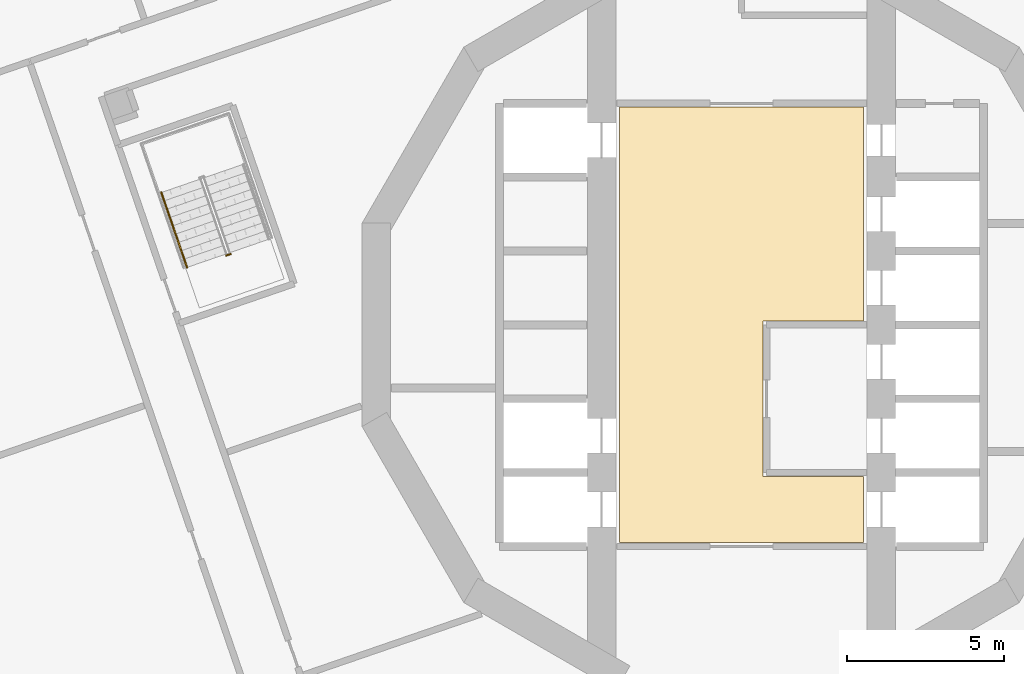
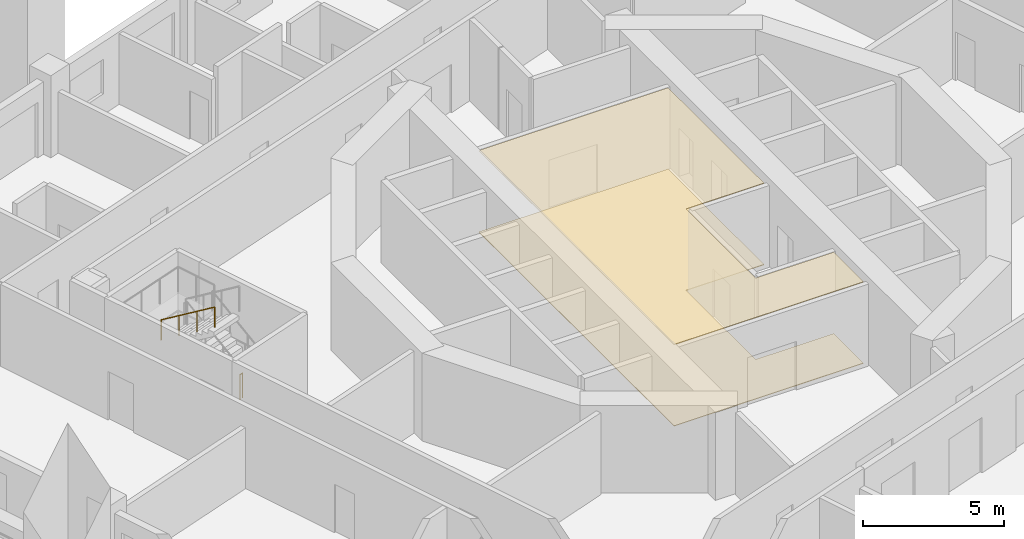
# One storey, part 11 of 18: 2 coverings, 2 railings.
"""IFC4 building model written with IfcOpenShell, lengths in metres."""

from ifc_helpers import new_model, si_unit, direction, frame, origin, origin_2d, place, context, subcontext, project, spatial, polyline, circle, outline, extrude, material, layer, layer_set, type_object, element, save


model = new_model("IFC4")

# Units and contexts
model_context = context("Model", 3, precision=1e-05, world=origin(), true_north=direction((0.0, 1.0)))
body_context = subcontext(model_context, "Body", "Model", "MODEL_VIEW")
ifc_project = project(units=[si_unit("LENGTHUNIT", "METRE"), si_unit("AREAUNIT", "SQUARE_METRE"), si_unit("VOLUMEUNIT", "CUBIC_METRE"), si_unit("PLANEANGLEUNIT", "RADIAN"), si_unit("MASSUNIT", "GRAM", prefix="KILO")], contexts=[model_context])

# Site, building, storey
site_placement = place(None, origin())
site = spatial("IfcSite", under=ifc_project, at=site_placement, CompositionType="ELEMENT")
building_placement = place(site_placement, origin())
building = spatial("IfcBuilding", under=site, at=building_placement, Name="Cantera Rosa Tower", CompositionType="ELEMENT")
storey_placement = place(building_placement, frame((0.0, 0.0, 100.300048828125)))
storey = spatial("IfcBuildingStorey", under=building, at=storey_placement, Name="L19", CompositionType="ELEMENT", Elevation=100.300048828125)

# Railings
ifc_material_1 = material(Name="Steel S355J2 (EN 10025-2)", Category="steel")
railing_type_1 = type_object("IfcRailingType", Name="STAIR GUARD 1100", PredefinedType="GUARDRAIL", material=ifc_material_1)
railing_1_placement = place(storey_placement, frame((-16.257080078125, 2.25341796875, 0.0)))
element("IfcRailing", 1, at=railing_1_placement, inside=storey, type_object=railing_type_1, Name="L19 ST-22 stair guard 3", PredefinedType="GUARDRAIL", context=body_context, shape_type="SweptSolid", body=[
    extrude(circle(Radius=0.02392578125, at=origin_2d()), frame((0.0, 0.0, 1.076171875), z_axis=(-0.945545797087, -0.325489086777, 0.0), x_axis=(0.325489086777, -0.945545797087, 0.0)), (0.0, 0.0, 1.0), 0.14990234375),
    extrude(circle(Radius=0.02099609375, at=origin_2d()), origin(), (0.0, 0.0, 1.0), 1.052001953125),
    extrude(circle(Radius=0.02099609375, at=origin_2d()), frame((-0.141845703125, -0.048828125, 0.0)), (0.0, 0.0, 1.0), 1.052001953125),
])
ifc_material_2 = material(Name="Steel S355J2 (EN 10025-2)", Category="steel")
railing_type_2 = type_object("IfcRailingType", Name="STAIR HANDRAIL 900", PredefinedType="HANDRAIL", material=ifc_material_2)
railing_2_placement = place(storey_placement, frame((-18.46484375, 4.21142578125, 2.08984375)))
element("IfcRailing", 2, at=railing_2_placement, inside=storey, type_object=railing_type_2, Name="L19 ST-22 stair handrail 2", PredefinedType="HANDRAIL", context=body_context, shape_type="SweptSolid", body=[
    extrude(circle(Radius=0.02392578125, at=origin_2d()), frame((0.0, 0.0, 0.8759765625), z_axis=(0.269420291028, -0.782368949847, 0.561526075172), x_axis=(0.94550776501, 0.325599548996, 0.0)), (0.0, 0.0, 1.0), 3.045654296875),
    extrude(circle(Radius=0.02099609375, at=origin_2d()), origin(), (0.0, 0.0, 1.0), 0.851806640625),
    extrude(circle(Radius=0.02099609375, at=origin_2d()), frame((0.2734375, -0.794189453125, 0.570068359375)), (0.0, 0.0, 1.0), 0.851806640625),
    extrude(circle(Radius=0.02099609375, at=origin_2d()), frame((0.547119140625, -1.588623046875, 1.14013671875)), (0.0, 0.0, 1.0), 0.851806640625),
    extrude(circle(Radius=0.02099609375, at=origin_2d()), frame((0.820556640625, -2.3828125, 1.710205078125)), (0.0, 0.0, 1.0), 0.851806640625),
])

# Coverings
ifc_material_3 = material(Name="Limestone paving", Category="masonry")
ifc_layer_1 = layer(ifc_material_3, 0.02490234375)
ifc_layer_set_1 = layer_set([ifc_layer_1], Name="STONE FLOOR FINISH 25")
covering_type_1 = type_object("IfcCoveringType", Name="STONE FLOOR FINISH 25", PredefinedType="FLOORING", material=ifc_layer_set_1)
covering_1_placement = place(storey_placement, origin())
element("IfcCovering", 3, at=covering_1_placement, inside=storey, type_object=covering_type_1, Name="STONE FLOOR FINISH L19", PredefinedType="FLOORING", context=body_context, shape_type="SweptSolid", body=[
    extrude(outline(polyline([(3.8798828125, 6.929931640625), (3.8798828125, 0.1201171875), (0.679931640625, 0.1201171875), (0.679931640625, -4.820068359375), (3.8798828125, -4.820068359375), (3.8798828125, -6.929931640625), (-3.8798828125, -6.929931640625), (-3.8798828125, 6.929931640625), (3.8798828125, 6.929931640625)])), origin(), (0.0, 0.0, 1.0), 0.02490234375),
])
ifc_material_4 = material(Name="Gypsum ceiling tile")
ifc_layer_2 = layer(ifc_material_4, 0.030029296875)
ifc_layer_set_2 = layer_set([ifc_layer_2], Name="SUSPENDED CEILING 30")
covering_type_2 = type_object("IfcCoveringType", Name="SUSPENDED CEILING 30", PredefinedType="CEILING", material=ifc_layer_set_2)
covering_2_placement = place(storey_placement, frame((0.0, 0.0, 3.52001953125)))
element("IfcCovering", 4, at=covering_2_placement, inside=storey, type_object=covering_type_2, Name="SUSPENDED CEILING L19", PredefinedType="CEILING", context=body_context, shape_type="SweptSolid", body=[
    extrude(outline(polyline([(3.8798828125, 6.929931640625), (3.8798828125, 0.1201171875), (0.679931640625, 0.1201171875), (0.679931640625, -4.820068359375), (3.8798828125, -4.820068359375), (3.8798828125, -6.929931640625), (-3.8798828125, -6.929931640625), (-3.8798828125, 6.929931640625), (3.8798828125, 6.929931640625)])), origin(), (0.0, 0.0, 1.0), 0.030029296875),
])

save(model, "model.ifc")
